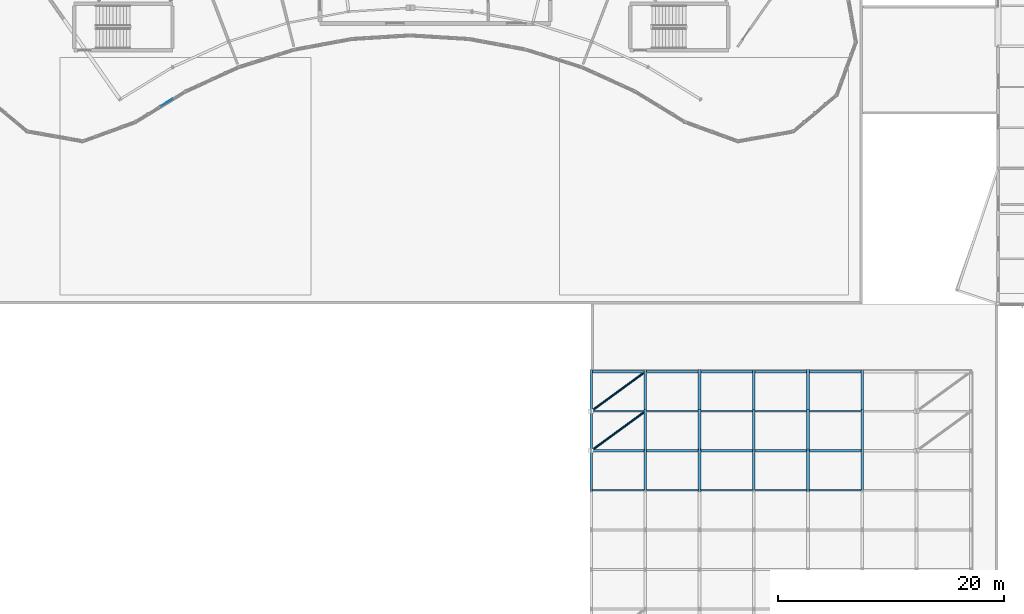
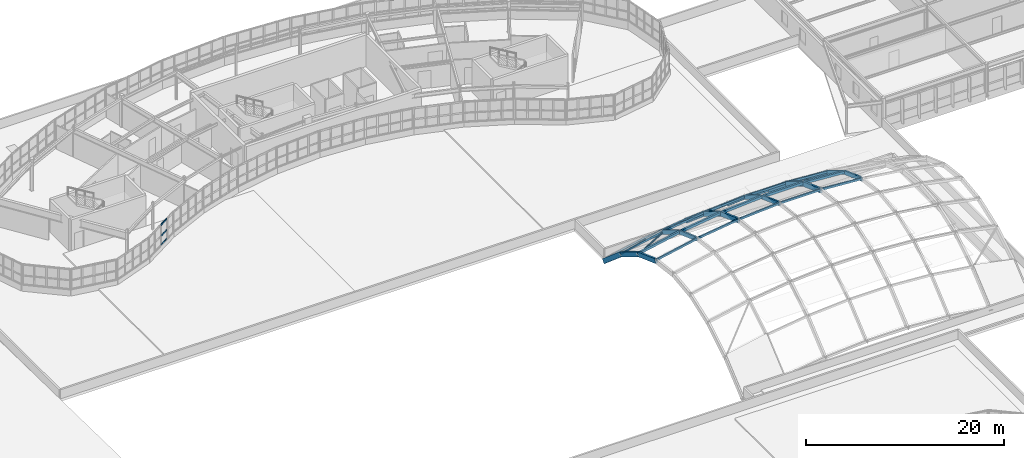
# One storey, part 42 of 128: 43 members, 1 element without a shape of its own.
"""IFC4 building model written with IfcOpenShell, lengths in metres."""

from ifc_helpers import new_model, si_unit, direction, frame, origin, origin_2d, place, context, subcontext, project, spatial, rectangle, hollow_rectangle, hollow_circle, extrude, material, layer, layer_set, material_profile, profile_set, type_object, element, aggregate, save


model = new_model("IFC4")

# Units and contexts
model_context = context("Model", 3, precision=1e-05, world=origin(), true_north=direction((0.0, 1.0)))
body_context = subcontext(model_context, "Body", "Model", "MODEL_VIEW")
ifc_project = project(units=[si_unit("LENGTHUNIT", "METRE"), si_unit("AREAUNIT", "SQUARE_METRE"), si_unit("VOLUMEUNIT", "CUBIC_METRE"), si_unit("PLANEANGLEUNIT", "RADIAN"), si_unit("MASSUNIT", "GRAM", prefix="KILO")], contexts=[model_context])

# Site, building, storey
site_placement = place(None, origin())
site = spatial("IfcSite", under=ifc_project, at=site_placement, CompositionType="ELEMENT")
building_placement = place(site_placement, origin())
building = spatial("IfcBuilding", under=site, at=building_placement, Name="Tarnwether General Hospital", CompositionType="ELEMENT")
storey_placement = place(building_placement, frame((0.0, 0.0, 14.39990234375)))
storey = spatial("IfcBuildingStorey", under=building, at=storey_placement, Name="L03", CompositionType="ELEMENT", Elevation=14.39990234375)

# Curtain wall, members
ifc_material_1 = material(Name="Anodised aluminium", Category="aluminium")
ifc_layer = layer(ifc_material_1, 0.159912109375)
ifc_layer_set = layer_set([ifc_layer], Name="Anodised aluminium")
curtain_wall_type = type_object("IfcCurtainWallType", Name="CW-03", PredefinedType="NOTDEFINED", material=ifc_layer_set)
curtain_wall_placement = place(storey_placement, origin())
curtain_wall = element("IfcCurtainWall", 1, at=curtain_wall_placement, inside=storey, type_object=curtain_wall_type, Name="Curtain Wall CWG-L03-721_1004-0006", PredefinedType="NOTDEFINED")
ifc_material_2 = material(Name="Anodised aluminium", Category="aluminium")
ifc_material_profile_1 = material_profile(ifc_material_2, rectangle(XDim=0.070068359375, YDim=0.139892578125, at=origin_2d()), Name="ALU-TRN-70x140")
ifc_profile_set_1 = profile_set([ifc_material_profile_1], Name="Anodised aluminium")
member_type_1 = type_object("IfcMemberType", Name="CW-TR2", PredefinedType="USERDEFINED", material=ifc_profile_set_1)
member_1_placement = place(storey_placement, frame((70.960693359375, 99.742431640625, 1.085205078125), z_axis=(-0.852670027324, -0.522449829651, 0.0), x_axis=(0.522449829651, -0.852670027324, 0.0)))
member_1 = element("IfcMember", 2, at=member_1_placement, type_object=member_type_1, Name="CW-03 transom 2.1", ObjectType="TRANSOM", PredefinedType="USERDEFINED", context=body_context, shape_type="SweptSolid", body=[
    extrude(rectangle(XDim=0.070068359375, YDim=0.139892578125, at=origin_2d()), origin(), (0.0, 0.0, 1.0), 1.224365234375),
])
member_2_placement = place(storey_placement, frame((70.960693359375, 99.742431640625, 2.1796875), z_axis=(-0.852670027324, -0.522449829651, 0.0), x_axis=(0.522449829651, -0.852670027324, 0.0)))
member_2 = element("IfcMember", 3, at=member_2_placement, type_object=member_type_1, Name="CW-03 transom 2.2", ObjectType="TRANSOM", PredefinedType="USERDEFINED", context=body_context, shape_type="SweptSolid", body=[
    extrude(rectangle(XDim=0.070068359375, YDim=0.139892578125, at=origin_2d()), origin(), (0.0, 0.0, 1.0), 1.224365234375),
])
member_3_placement = place(storey_placement, frame((70.960693359375, 99.742431640625, 3.525146484375), z_axis=(-0.852670027324, -0.522449829651, 0.0), x_axis=(0.522449829651, -0.852670027324, 0.0)))
member_3 = element("IfcMember", 4, at=member_3_placement, type_object=member_type_1, Name="CW-03 transom 2.3", ObjectType="TRANSOM", PredefinedType="USERDEFINED", context=body_context, shape_type="SweptSolid", body=[
    extrude(rectangle(XDim=0.070068359375, YDim=0.139892578125, at=origin_2d()), origin(), (0.0, 0.0, 1.0), 1.224365234375),
])
aggregate(curtain_wall, [member_1, member_2, member_3])

# Members
ifc_material_3 = material(Name="Steel Grade C350L0 (350 MPa)", Category="steel")
ifc_material_profile_2 = material_profile(ifc_material_3, hollow_circle(Radius=0.096923828125, WallThickness=0.008056640625, at=origin_2d()), Name="CHS193.7x8.0")
ifc_profile_set_2 = profile_set([ifc_material_profile_2], Name="Steel Grade C350L0 (350 MPa)")
member_type_2 = type_object("IfcMemberType", Name="MB-BR5", PredefinedType="BRACE", material=ifc_profile_set_2)
member_4_placement = place(storey_placement, frame((108.0, 68.60009765625, 5.10009765625), z_axis=(0.793394800029, 0.578511156768, -0.189339728485), x_axis=(-0.589168244541, 0.808010383365, 0.0)))
element("IfcMember", 5, at=member_4_placement, inside=storey, type_object=member_type_2, Name="Gridshell Shell Brace 130", PredefinedType="BRACE", context=body_context, shape_type="SweptSolid", body=[
    extrude(hollow_circle(Radius=0.096923828125, WallThickness=0.008056640625, at=origin_2d()), origin(), (0.0, 0.0, 1.0), 6.050048828125),
])
member_5_placement = place(storey_placement, frame((108.0, 72.10009765625, 2.97509765625), z_axis=(0.76595719819, 0.558504775609, -0.318405380235), x_axis=(-0.589168244541, 0.808010383365, 0.0)))
element("IfcMember", 6, at=member_5_placement, inside=storey, type_object=member_type_2, Name="Gridshell Shell Brace 131", PredefinedType="BRACE", context=body_context, shape_type="SweptSolid", body=[
    extrude(hollow_circle(Radius=0.096923828125, WallThickness=0.008056640625, at=origin_2d()), origin(), (0.0, 0.0, 1.0), 6.266845703125),
])
ifc_material_4 = material(Name="Glulam GL12", Category="wood")
ifc_material_profile_3 = material_profile(ifc_material_4, rectangle(XDim=0.239990234375, YDim=0.5400390625, at=origin_2d()), Name="GL12-240x540")
ifc_profile_set_3 = profile_set([ifc_material_profile_3], Name="Glulam GL12")
member_type_3 = type_object("IfcMemberType", Name="MB-GS1", PredefinedType="CHORD", material=ifc_profile_set_3)
member_6_placement = place(storey_placement, frame((108.0, 65.10009765625, 6.375), z_axis=(0.0, 0.939605746622, -0.342258733877), x_axis=(-1.0, 0.0, 0.0)))
element("IfcMember", 7, at=member_6_placement, inside=storey, type_object=member_type_3, Name="Gridshell Glulam Arch Chord 006", PredefinedType="CHORD", context=body_context, shape_type="SweptSolid", body=[
    extrude(rectangle(XDim=0.239990234375, YDim=0.5400390625, at=origin_2d()), origin(), (0.0, 0.0, 1.0), 3.724853515625),
])
member_7_placement = place(storey_placement, frame((108.0, 68.60009765625, 5.10009765625), z_axis=(0.0, 0.854787515222, -0.518978134242), x_axis=(-1.0, 0.0, 0.0)))
element("IfcMember", 8, at=member_7_placement, inside=storey, type_object=member_type_3, Name="Gridshell Glulam Arch Chord 007", PredefinedType="CHORD", context=body_context, shape_type="SweptSolid", body=[
    extrude(rectangle(XDim=0.239990234375, YDim=0.5400390625, at=origin_2d()), origin(), (0.0, 0.0, 1.0), 4.094482421875),
])
member_8_placement = place(storey_placement, frame((108.0, 72.10009765625, 2.97509765625), z_axis=(0.0, 0.76192882692, -0.647660762057), x_axis=(-1.0, 0.0, 0.0)))
element("IfcMember", 9, at=member_8_placement, inside=storey, type_object=member_type_3, Name="Gridshell Glulam Arch Chord 008", PredefinedType="CHORD", context=body_context, shape_type="SweptSolid", body=[
    extrude(rectangle(XDim=0.239990234375, YDim=0.5400390625, at=origin_2d()), origin(), (0.0, 0.0, 1.0), 4.593505859375),
])
member_9_placement = place(storey_placement, frame((117.60009765625, 65.10009765625, 8.0078125), z_axis=(0.0, 0.939605746622, -0.342258733877), x_axis=(-1.0, 0.0, 0.0)))
element("IfcMember", 10, at=member_9_placement, inside=storey, type_object=member_type_3, Name="Gridshell Glulam Arch Chord 022", PredefinedType="CHORD", context=body_context, shape_type="SweptSolid", body=[
    extrude(rectangle(XDim=0.239990234375, YDim=0.5400390625, at=origin_2d()), origin(), (0.0, 0.0, 1.0), 3.724853515625),
])
member_10_placement = place(storey_placement, frame((117.60009765625, 68.60009765625, 6.73291015625), z_axis=(0.0, 0.854787515222, -0.518978134242), x_axis=(-1.0, 0.0, 0.0)))
element("IfcMember", 11, at=member_10_placement, inside=storey, type_object=member_type_3, Name="Gridshell Glulam Arch Chord 023", PredefinedType="CHORD", context=body_context, shape_type="SweptSolid", body=[
    extrude(rectangle(XDim=0.239990234375, YDim=0.5400390625, at=origin_2d()), origin(), (0.0, 0.0, 1.0), 4.094482421875),
])
member_11_placement = place(storey_placement, frame((117.60009765625, 72.10009765625, 4.60791015625), z_axis=(0.0, 0.76192882692, -0.647660762057), x_axis=(-1.0, 0.0, 0.0)))
element("IfcMember", 12, at=member_11_placement, inside=storey, type_object=member_type_3, Name="Gridshell Glulam Arch Chord 024", PredefinedType="CHORD", context=body_context, shape_type="SweptSolid", body=[
    extrude(rectangle(XDim=0.239990234375, YDim=0.5400390625, at=origin_2d()), origin(), (0.0, 0.0, 1.0), 4.593505859375),
])
member_12_placement = place(storey_placement, frame((127.199951171875, 65.10009765625, 8.334228515625), z_axis=(0.0, 0.939605746622, -0.342258733877), x_axis=(-1.0, 0.0, 0.0)))
element("IfcMember", 13, at=member_12_placement, inside=storey, type_object=member_type_3, Name="Gridshell Glulam Arch Chord 038", PredefinedType="CHORD", context=body_context, shape_type="SweptSolid", body=[
    extrude(rectangle(XDim=0.239990234375, YDim=0.5400390625, at=origin_2d()), origin(), (0.0, 0.0, 1.0), 3.724853515625),
])
member_13_placement = place(storey_placement, frame((127.199951171875, 68.60009765625, 7.059326171875), z_axis=(0.0, 0.854787515222, -0.518978134242), x_axis=(-1.0, 0.0, 0.0)))
element("IfcMember", 14, at=member_13_placement, inside=storey, type_object=member_type_3, Name="Gridshell Glulam Arch Chord 039", PredefinedType="CHORD", context=body_context, shape_type="SweptSolid", body=[
    extrude(rectangle(XDim=0.239990234375, YDim=0.5400390625, at=origin_2d()), origin(), (0.0, 0.0, 1.0), 4.094482421875),
])
member_14_placement = place(storey_placement, frame((127.199951171875, 72.10009765625, 4.934326171875), z_axis=(0.0, 0.76192882692, -0.647660762057), x_axis=(-1.0, 0.0, 0.0)))
element("IfcMember", 15, at=member_14_placement, inside=storey, type_object=member_type_3, Name="Gridshell Glulam Arch Chord 040", PredefinedType="CHORD", context=body_context, shape_type="SweptSolid", body=[
    extrude(rectangle(XDim=0.239990234375, YDim=0.5400390625, at=origin_2d()), origin(), (0.0, 0.0, 1.0), 4.593505859375),
])
ifc_material_5 = material(Name="Glulam GL12", Category="wood")
ifc_material_profile_4 = material_profile(ifc_material_5, rectangle(XDim=0.199951171875, YDim=0.449951171875, at=origin_2d()), Name="GL12-200x450")
ifc_profile_set_4 = profile_set([ifc_material_profile_4], Name="Glulam GL12")
member_type_4 = type_object("IfcMemberType", Name="MB-GS2", PredefinedType="CHORD", material=ifc_profile_set_4)
member_15_placement = place(storey_placement, frame((112.800048828125, 65.10009765625, 7.399658203125), z_axis=(0.0, 0.939605746622, -0.342258733877), x_axis=(-1.0, 0.0, 0.0)))
element("IfcMember", 16, at=member_15_placement, inside=storey, type_object=member_type_4, Name="Gridshell Glulam Arch Chord 014", PredefinedType="CHORD", context=body_context, shape_type="SweptSolid", body=[
    extrude(rectangle(XDim=0.199951171875, YDim=0.449951171875, at=origin_2d()), origin(), (0.0, 0.0, 1.0), 3.724853515625),
])
member_16_placement = place(storey_placement, frame((112.800048828125, 68.60009765625, 6.124755859375), z_axis=(0.0, 0.854787515222, -0.518978134242), x_axis=(-1.0, 0.0, 0.0)))
element("IfcMember", 17, at=member_16_placement, inside=storey, type_object=member_type_4, Name="Gridshell Glulam Arch Chord 015", PredefinedType="CHORD", context=body_context, shape_type="SweptSolid", body=[
    extrude(rectangle(XDim=0.199951171875, YDim=0.449951171875, at=origin_2d()), origin(), (0.0, 0.0, 1.0), 4.094482421875),
])
member_17_placement = place(storey_placement, frame((112.800048828125, 72.10009765625, 3.999755859375), z_axis=(0.0, 0.76192882692, -0.647660762057), x_axis=(-1.0, 0.0, 0.0)))
element("IfcMember", 18, at=member_17_placement, inside=storey, type_object=member_type_4, Name="Gridshell Glulam Arch Chord 016", PredefinedType="CHORD", context=body_context, shape_type="SweptSolid", body=[
    extrude(rectangle(XDim=0.199951171875, YDim=0.449951171875, at=origin_2d()), origin(), (0.0, 0.0, 1.0), 4.593505859375),
])
member_18_placement = place(storey_placement, frame((122.39990234375, 65.10009765625, 8.37939453125), z_axis=(0.0, 0.939584667872, -0.342316596003), x_axis=(-1.0, 0.0, 0.0)))
element("IfcMember", 19, at=member_18_placement, inside=storey, type_object=member_type_4, Name="Gridshell Glulam Arch Chord 030", PredefinedType="CHORD", context=body_context, shape_type="SweptSolid", body=[
    extrude(rectangle(XDim=0.199951171875, YDim=0.449951171875, at=origin_2d()), origin(), (0.0, 0.0, 1.0), 3.72509765625),
])
member_19_placement = place(storey_placement, frame((122.39990234375, 68.60009765625, 7.104248046875), z_axis=(0.0, 0.854787515222, -0.518978134242), x_axis=(-1.0, 0.0, 0.0)))
element("IfcMember", 20, at=member_19_placement, inside=storey, type_object=member_type_4, Name="Gridshell Glulam Arch Chord 031", PredefinedType="CHORD", context=body_context, shape_type="SweptSolid", body=[
    extrude(rectangle(XDim=0.199951171875, YDim=0.449951171875, at=origin_2d()), origin(), (0.0, 0.0, 1.0), 4.094482421875),
])
member_20_placement = place(storey_placement, frame((122.39990234375, 72.10009765625, 4.979248046875), z_axis=(0.0, 0.761955054185, -0.647629906198), x_axis=(-1.0, 0.0, 0.0)))
element("IfcMember", 21, at=member_20_placement, inside=storey, type_object=member_type_4, Name="Gridshell Glulam Arch Chord 032", PredefinedType="CHORD", context=body_context, shape_type="SweptSolid", body=[
    extrude(rectangle(XDim=0.199951171875, YDim=0.449951171875, at=origin_2d()), origin(), (0.0, 0.0, 1.0), 4.593505859375),
])
member_21_placement = place(storey_placement, frame((132.0, 65.10009765625, 8.052734375), z_axis=(0.0, 0.939605746622, -0.342258733877), x_axis=(-1.0, 0.0, 0.0)))
element("IfcMember", 22, at=member_21_placement, inside=storey, type_object=member_type_4, Name="Gridshell Glulam Arch Chord 046", PredefinedType="CHORD", context=body_context, shape_type="SweptSolid", body=[
    extrude(rectangle(XDim=0.199951171875, YDim=0.449951171875, at=origin_2d()), origin(), (0.0, 0.0, 1.0), 3.724853515625),
])
member_22_placement = place(storey_placement, frame((132.0, 68.60009765625, 6.77783203125), z_axis=(0.0, 0.854787515222, -0.518978134242), x_axis=(-1.0, 0.0, 0.0)))
element("IfcMember", 23, at=member_22_placement, inside=storey, type_object=member_type_4, Name="Gridshell Glulam Arch Chord 047", PredefinedType="CHORD", context=body_context, shape_type="SweptSolid", body=[
    extrude(rectangle(XDim=0.199951171875, YDim=0.449951171875, at=origin_2d()), origin(), (0.0, 0.0, 1.0), 4.094482421875),
])
member_23_placement = place(storey_placement, frame((132.0, 72.10009765625, 4.65283203125), z_axis=(0.0, 0.76192882692, -0.647660762057), x_axis=(-1.0, 0.0, 0.0)))
element("IfcMember", 24, at=member_23_placement, inside=storey, type_object=member_type_4, Name="Gridshell Glulam Arch Chord 048", PredefinedType="CHORD", context=body_context, shape_type="SweptSolid", body=[
    extrude(rectangle(XDim=0.199951171875, YDim=0.449951171875, at=origin_2d()), origin(), (0.0, 0.0, 1.0), 4.593505859375),
])
ifc_material_6 = material(Name="Steel Grade C350L0 (350 MPa)", Category="steel")
ifc_material_profile_5 = material_profile(ifc_material_6, hollow_rectangle(XDim=0.199951171875, YDim=0.300048828125, WallThickness=0.012451171875, at=origin_2d()), Name="RHS300x200x12.5")
ifc_profile_set_5 = profile_set([ifc_material_profile_5], Name="Steel Grade C350L0 (350 MPa)")
member_type_5 = type_object("IfcMemberType", Name="MB-GS3", PredefinedType="CHORD", material=ifc_profile_set_5)
member_24_placement = place(storey_placement, frame((108.0, 68.60009765625, 5.210205078125), z_axis=(0.979808442283, 0.0, 0.199938531633), x_axis=(0.0, 1.0, 0.0)))
element("IfcMember", 25, at=member_24_placement, inside=storey, type_object=member_type_5, Name="Gridshell Steel Longitudinal Chord 107", PredefinedType="CHORD", context=body_context, shape_type="SweptSolid", body=[
    extrude(hollow_rectangle(XDim=0.199951171875, YDim=0.300048828125, WallThickness=0.012451171875, at=origin_2d()), origin(), (0.0, 0.0, 1.0), 4.89892578125),
])
member_25_placement = place(storey_placement, frame((112.800048828125, 68.60009765625, 6.189697265625), z_axis=(0.990870911369, 0.0, 0.134814083104), x_axis=(0.0, 1.0, 0.0)))
element("IfcMember", 26, at=member_25_placement, inside=storey, type_object=member_type_5, Name="Gridshell Steel Longitudinal Chord 108", PredefinedType="CHORD", context=body_context, shape_type="SweptSolid", body=[
    extrude(hollow_rectangle(XDim=0.199951171875, YDim=0.300048828125, WallThickness=0.012451171875, at=origin_2d()), origin(), (0.0, 0.0, 1.0), 4.84423828125),
])
member_26_placement = place(storey_placement, frame((117.60009765625, 68.60009765625, 6.8427734375), z_axis=(0.997695575032, 0.0, 0.067849388801), x_axis=(0.0, 1.0, 0.0)))
element("IfcMember", 27, at=member_26_placement, inside=storey, type_object=member_type_5, Name="Gridshell Steel Longitudinal Chord 109", PredefinedType="CHORD", context=body_context, shape_type="SweptSolid", body=[
    extrude(hollow_rectangle(XDim=0.199951171875, YDim=0.300048828125, WallThickness=0.012451171875, at=origin_2d()), origin(), (0.0, 0.0, 1.0), 4.810791015625),
])
member_27_placement = place(storey_placement, frame((122.39990234375, 68.60009765625, 7.169189453125), z_axis=(1.0, 0.0, 0.0), x_axis=(0.0, 1.0, 0.0)))
element("IfcMember", 28, at=member_27_placement, inside=storey, type_object=member_type_5, Name="Gridshell Steel Longitudinal Chord 110", PredefinedType="CHORD", context=body_context, shape_type="SweptSolid", body=[
    extrude(hollow_rectangle(XDim=0.199951171875, YDim=0.300048828125, WallThickness=0.012451171875, at=origin_2d()), origin(), (0.0, 0.0, 1.0), 4.800048828125),
])
member_28_placement = place(storey_placement, frame((127.199951171875, 68.60009765625, 7.169189453125), z_axis=(0.997695808633, 0.0, -0.067845953723), x_axis=(0.0, 1.0, 0.0)))
element("IfcMember", 29, at=member_28_placement, inside=storey, type_object=member_type_5, Name="Gridshell Steel Longitudinal Chord 111", PredefinedType="CHORD", context=body_context, shape_type="SweptSolid", body=[
    extrude(hollow_rectangle(XDim=0.199951171875, YDim=0.300048828125, WallThickness=0.012451171875, at=origin_2d()), origin(), (0.0, 0.0, 1.0), 4.81103515625),
])
member_29_placement = place(storey_placement, frame((108.0, 75.60009765625, 0.110107421875), z_axis=(0.979808442283, 0.0, 0.199938531633), x_axis=(0.0, 1.0, 0.0)))
element("IfcMember", 30, at=member_29_placement, inside=storey, type_object=member_type_5, Name="Gridshell Steel Longitudinal Chord 121", PredefinedType="CHORD", context=body_context, shape_type="SweptSolid", body=[
    extrude(hollow_rectangle(XDim=0.199951171875, YDim=0.300048828125, WallThickness=0.012451171875, at=origin_2d()), origin(), (0.0, 0.0, 1.0), 4.89892578125),
])
member_30_placement = place(storey_placement, frame((112.800048828125, 75.60009765625, 1.089599609375), z_axis=(0.990870911369, 0.0, 0.134814083104), x_axis=(0.0, 1.0, 0.0)))
element("IfcMember", 31, at=member_30_placement, inside=storey, type_object=member_type_5, Name="Gridshell Steel Longitudinal Chord 122", PredefinedType="CHORD", context=body_context, shape_type="SweptSolid", body=[
    extrude(hollow_rectangle(XDim=0.199951171875, YDim=0.300048828125, WallThickness=0.012451171875, at=origin_2d()), origin(), (0.0, 0.0, 1.0), 4.84423828125),
])
member_31_placement = place(storey_placement, frame((117.60009765625, 75.60009765625, 1.74267578125), z_axis=(0.997692138514, 0.0, 0.067899902408), x_axis=(0.0, 1.0, 0.0)))
element("IfcMember", 32, at=member_31_placement, inside=storey, type_object=member_type_5, Name="Gridshell Steel Longitudinal Chord 123", PredefinedType="CHORD", context=body_context, shape_type="SweptSolid", body=[
    extrude(hollow_rectangle(XDim=0.199951171875, YDim=0.300048828125, WallThickness=0.012451171875, at=origin_2d()), origin(), (0.0, 0.0, 1.0), 4.810791015625),
])
member_32_placement = place(storey_placement, frame((122.39990234375, 75.60009765625, 2.0693359375), z_axis=(1.0, 0.0, 0.0), x_axis=(0.0, 1.0, 0.0)))
element("IfcMember", 33, at=member_32_placement, inside=storey, type_object=member_type_5, Name="Gridshell Steel Longitudinal Chord 124", PredefinedType="CHORD", context=body_context, shape_type="SweptSolid", body=[
    extrude(hollow_rectangle(XDim=0.199951171875, YDim=0.300048828125, WallThickness=0.012451171875, at=origin_2d()), origin(), (0.0, 0.0, 1.0), 4.800048828125),
])
member_33_placement = place(storey_placement, frame((127.199951171875, 75.60009765625, 2.0693359375), z_axis=(0.997692372462, 0.0, -0.067896464796), x_axis=(0.0, 1.0, 0.0)))
element("IfcMember", 34, at=member_33_placement, inside=storey, type_object=member_type_5, Name="Gridshell Steel Longitudinal Chord 125", PredefinedType="CHORD", context=body_context, shape_type="SweptSolid", body=[
    extrude(hollow_rectangle(XDim=0.199951171875, YDim=0.300048828125, WallThickness=0.012451171875, at=origin_2d()), origin(), (0.0, 0.0, 1.0), 4.81103515625),
])
ifc_material_7 = material(Name="Steel Grade C350L0 (350 MPa)", Category="steel")
ifc_material_profile_6 = material_profile(ifc_material_7, hollow_rectangle(XDim=0.14990234375, YDim=0.25, WallThickness=0.010009765625, at=origin_2d()), Name="RHS250x150x10")
ifc_profile_set_6 = profile_set([ifc_material_profile_6], Name="Steel Grade C350L0 (350 MPa)")
member_type_6 = type_object("IfcMemberType", Name="MB-GS4", PredefinedType="CHORD", material=ifc_profile_set_6)
member_34_placement = place(storey_placement, frame((108.0, 65.10009765625, 6.510009765625), z_axis=(0.979798678438, 0.0, 0.199986373866), x_axis=(0.0, 1.0, 0.0)))
element("IfcMember", 35, at=member_34_placement, inside=storey, type_object=member_type_6, Name="Gridshell Steel Longitudinal Chord 100", PredefinedType="CHORD", context=body_context, shape_type="SweptSolid", body=[
    extrude(hollow_rectangle(XDim=0.14990234375, YDim=0.25, WallThickness=0.010009765625, at=origin_2d()), origin(), (0.0, 0.0, 1.0), 4.89892578125),
])
member_35_placement = place(storey_placement, frame((112.800048828125, 65.10009765625, 7.48974609375), z_axis=(0.990870911369, 0.0, 0.134814083104), x_axis=(0.0, 1.0, 0.0)))
element("IfcMember", 36, at=member_35_placement, inside=storey, type_object=member_type_6, Name="Gridshell Steel Longitudinal Chord 101", PredefinedType="CHORD", context=body_context, shape_type="SweptSolid", body=[
    extrude(hollow_rectangle(XDim=0.14990234375, YDim=0.25, WallThickness=0.010009765625, at=origin_2d()), origin(), (0.0, 0.0, 1.0), 4.84423828125),
])
member_36_placement = place(storey_placement, frame((117.60009765625, 65.10009765625, 8.142822265625), z_axis=(0.997695575032, 0.0, 0.067849388801), x_axis=(0.0, 1.0, 0.0)))
element("IfcMember", 37, at=member_36_placement, inside=storey, type_object=member_type_6, Name="Gridshell Steel Longitudinal Chord 102", PredefinedType="CHORD", context=body_context, shape_type="SweptSolid", body=[
    extrude(hollow_rectangle(XDim=0.14990234375, YDim=0.25, WallThickness=0.010009765625, at=origin_2d()), origin(), (0.0, 0.0, 1.0), 4.810791015625),
])
member_37_placement = place(storey_placement, frame((122.39990234375, 65.10009765625, 8.46923828125), z_axis=(1.0, 0.0, 0.0), x_axis=(0.0, 1.0, 0.0)))
element("IfcMember", 38, at=member_37_placement, inside=storey, type_object=member_type_6, Name="Gridshell Steel Longitudinal Chord 103", PredefinedType="CHORD", context=body_context, shape_type="SweptSolid", body=[
    extrude(hollow_rectangle(XDim=0.14990234375, YDim=0.25, WallThickness=0.010009765625, at=origin_2d()), origin(), (0.0, 0.0, 1.0), 4.800048828125),
])
member_38_placement = place(storey_placement, frame((127.199951171875, 65.10009765625, 8.46923828125), z_axis=(0.997695808633, 0.0, -0.067845953723), x_axis=(0.0, 1.0, 0.0)))
element("IfcMember", 39, at=member_38_placement, inside=storey, type_object=member_type_6, Name="Gridshell Steel Longitudinal Chord 104", PredefinedType="CHORD", context=body_context, shape_type="SweptSolid", body=[
    extrude(hollow_rectangle(XDim=0.14990234375, YDim=0.25, WallThickness=0.010009765625, at=origin_2d()), origin(), (0.0, 0.0, 1.0), 4.81103515625),
])
member_39_placement = place(storey_placement, frame((108.0, 72.10009765625, 3.110107421875), z_axis=(0.979808442283, 0.0, 0.199938531633), x_axis=(0.0, 1.0, 0.0)))
element("IfcMember", 40, at=member_39_placement, inside=storey, type_object=member_type_6, Name="Gridshell Steel Longitudinal Chord 114", PredefinedType="CHORD", context=body_context, shape_type="SweptSolid", body=[
    extrude(hollow_rectangle(XDim=0.14990234375, YDim=0.25, WallThickness=0.010009765625, at=origin_2d()), origin(), (0.0, 0.0, 1.0), 4.89892578125),
])
member_40_placement = place(storey_placement, frame((112.800048828125, 72.10009765625, 4.089599609375), z_axis=(0.990870911369, 0.0, 0.134814083104), x_axis=(0.0, 1.0, 0.0)))
element("IfcMember", 41, at=member_40_placement, inside=storey, type_object=member_type_6, Name="Gridshell Steel Longitudinal Chord 115", PredefinedType="CHORD", context=body_context, shape_type="SweptSolid", body=[
    extrude(hollow_rectangle(XDim=0.14990234375, YDim=0.25, WallThickness=0.010009765625, at=origin_2d()), origin(), (0.0, 0.0, 1.0), 4.84423828125),
])
member_41_placement = place(storey_placement, frame((117.60009765625, 72.10009765625, 4.74267578125), z_axis=(0.997692138514, 0.0, 0.067899902408), x_axis=(0.0, 1.0, 0.0)))
element("IfcMember", 42, at=member_41_placement, inside=storey, type_object=member_type_6, Name="Gridshell Steel Longitudinal Chord 116", PredefinedType="CHORD", context=body_context, shape_type="SweptSolid", body=[
    extrude(hollow_rectangle(XDim=0.14990234375, YDim=0.25, WallThickness=0.010009765625, at=origin_2d()), origin(), (0.0, 0.0, 1.0), 4.810791015625),
])
member_42_placement = place(storey_placement, frame((122.39990234375, 72.10009765625, 5.0693359375), z_axis=(1.0, 0.0, 0.0), x_axis=(0.0, 1.0, 0.0)))
element("IfcMember", 43, at=member_42_placement, inside=storey, type_object=member_type_6, Name="Gridshell Steel Longitudinal Chord 117", PredefinedType="CHORD", context=body_context, shape_type="SweptSolid", body=[
    extrude(hollow_rectangle(XDim=0.14990234375, YDim=0.25, WallThickness=0.010009765625, at=origin_2d()), origin(), (0.0, 0.0, 1.0), 4.800048828125),
])
member_43_placement = place(storey_placement, frame((127.199951171875, 72.10009765625, 5.0693359375), z_axis=(0.997692372462, 0.0, -0.067896464796), x_axis=(0.0, 1.0, 0.0)))
element("IfcMember", 44, at=member_43_placement, inside=storey, type_object=member_type_6, Name="Gridshell Steel Longitudinal Chord 118", PredefinedType="CHORD", context=body_context, shape_type="SweptSolid", body=[
    extrude(hollow_rectangle(XDim=0.14990234375, YDim=0.25, WallThickness=0.010009765625, at=origin_2d()), origin(), (0.0, 0.0, 1.0), 4.81103515625),
])

save(model, "model.ifc")
